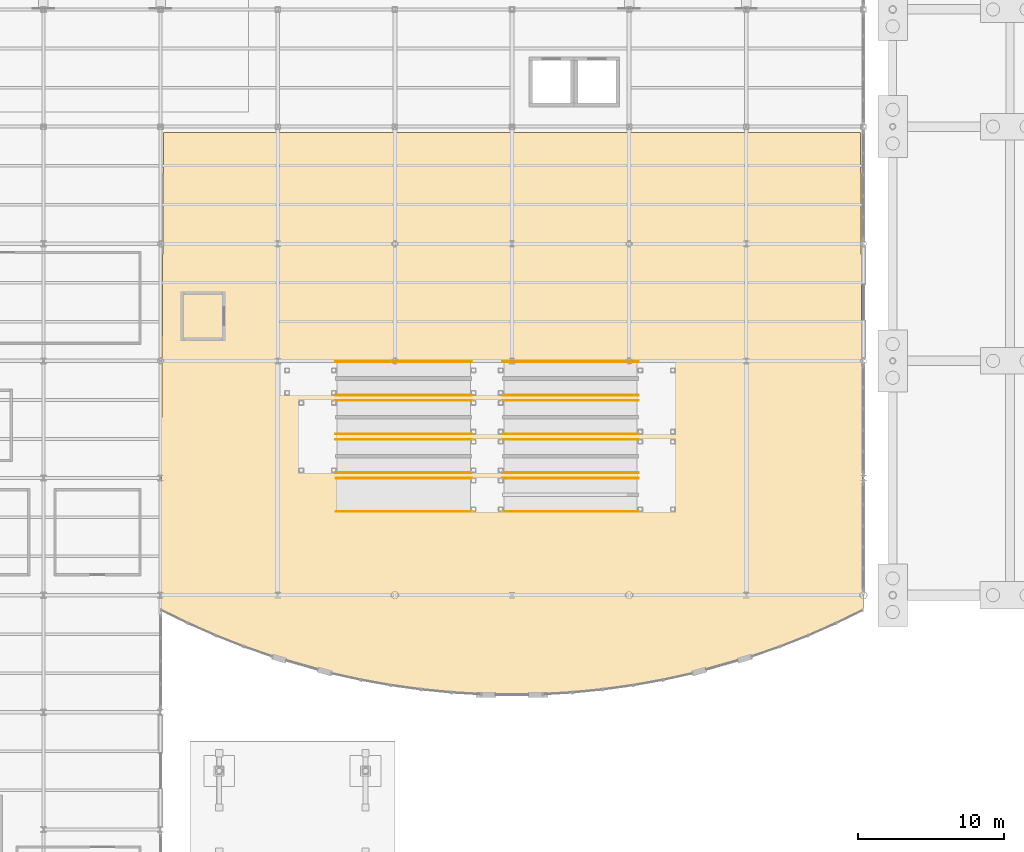
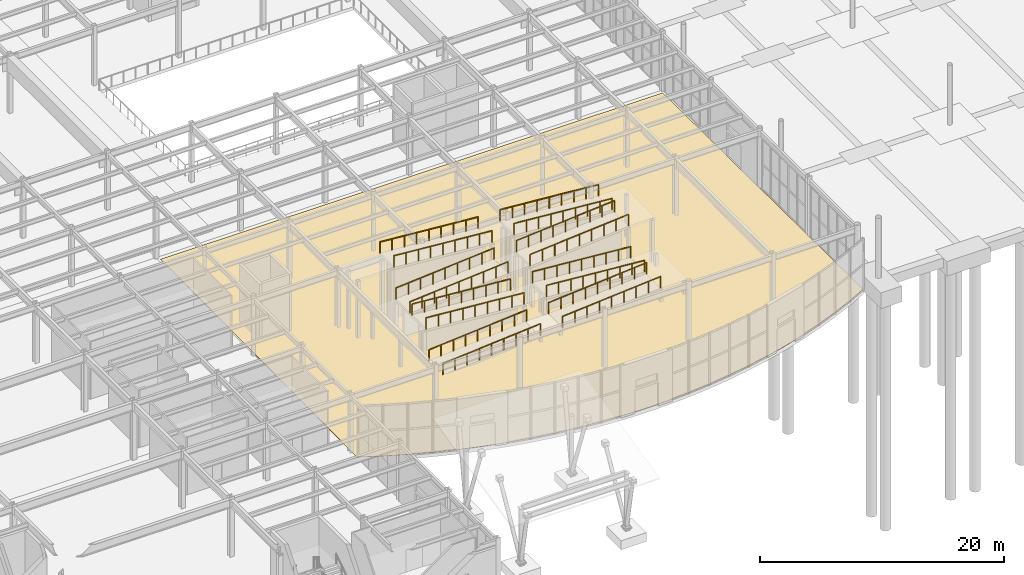
# One storey, part 74 of 82: 16 railings, 1 covering.
"""IFC4 building model written with IfcOpenShell, lengths in metres."""

from ifc_helpers import new_model, si_unit, direction, frame, origin, origin_2d, place, context, subcontext, project, spatial, polyline, circle, outline, extrude, material, layer, layer_set, type_object, element, save


model = new_model("IFC4")

# Units and contexts
model_context = context("Model", 3, precision=1e-05, world=origin(), true_north=direction((0.0, 1.0)))
body_context = subcontext(model_context, "Body", "Model", "MODEL_VIEW")
ifc_project = project(units=[si_unit("LENGTHUNIT", "METRE"), si_unit("AREAUNIT", "SQUARE_METRE"), si_unit("VOLUMEUNIT", "CUBIC_METRE"), si_unit("PLANEANGLEUNIT", "RADIAN"), si_unit("MASSUNIT", "GRAM", prefix="KILO")], contexts=[model_context])

# Site, building, storey
site_placement = place(None, origin())
site = spatial("IfcSite", under=ifc_project, at=site_placement, CompositionType="ELEMENT")
building_placement = place(site_placement, origin())
building = spatial("IfcBuilding", under=site, at=building_placement, Name="Drelvath Fold Interchange", CompositionType="ELEMENT")
storey_placement = place(building_placement, origin())
storey = spatial("IfcBuildingStorey", under=building, at=storey_placement, Name="L00", CompositionType="ELEMENT", Elevation=0.0)

# Covering
ifc_material_1 = material(Name="Crimson Terracotta Oxide Resin Flooring", Category="masonry")
ifc_layer = layer(ifc_material_1, 0.01806640625, Name="Crimson Terracotta Oxide Resin Flooring")
ifc_layer_set = layer_set([ifc_layer], Name="Crimson Terracotta Oxide Resin Flooring")
covering_type = type_object("IfcCoveringType", Name="CV-CRIMSON", PredefinedType="FLOORING", material=ifc_layer_set)
covering_placement = place(storey_placement, origin())
element("IfcCovering", 1, at=covering_placement, inside=storey, type_object=covering_type, Name="Waiting Hall crimson terracotta resin floor L00", PredefinedType="FLOORING", context=body_context, shape_type="SweptSolid", body=[
    extrude(outline(polyline([(52.0, 26.0), (53.865966796875, 25.0869140625), (55.76611328125, 24.2490234375), (57.697998046875, 23.486083984375), (59.658935546875, 22.801025390625), (61.64501953125, 22.194091796875), (63.654052734375, 21.6650390625), (65.681884765625, 21.217041015625), (67.72607421875, 20.84912109375), (69.782958984375, 20.56201171875), (71.85009765625, 20.35693359375), (73.923095703125, 20.23388671875), (76.0, 20.193115234375), (78.076904296875, 20.23388671875), (80.14990234375, 20.35693359375), (82.217041015625, 20.56201171875), (84.27392578125, 20.84912109375), (86.318115234375, 21.217041015625), (88.345947265625, 21.6650390625), (90.35498046875, 22.194091796875), (92.341064453125, 22.801025390625), (94.302001953125, 23.486083984375), (96.23388671875, 24.2490234375), (98.134033203125, 25.0869140625), (100.0, 26.0), (99.800048828125, 58.60009765625), (52.199951171875, 58.60009765625), (52.0, 26.0)])), origin(), (0.0, 0.0, 1.0), 0.01806640625),
])

# Railings
ifc_material_2 = material(Name="Stainless Steel 316L", Category="steel")
railing_type = type_object("IfcRailingType", Name="RL-GRD1150", PredefinedType="GUARDRAIL", material=ifc_material_2)
for number, where, name in (
    (2, (64.0, 32.7099609375, 0.0), "Promenade ramp flight 1 guard"),
    (3, (64.0, 34.989990234375, 0.0), "Promenade ramp flight 1 guard"),
):
    element("IfcRailing", number, at=place(storey_placement, frame(where)), inside=storey, type_object=railing_type, Name=name, PredefinedType="GUARDRAIL", context=body_context, shape_type="SweptSolid", body=[
        extrude(circle(Radius=0.02392578125, at=origin_2d()), frame((0.0, 0.0, 1.1259765625), z_axis=(0.996729048115, 0.0, 0.080815868766), x_axis=(0.0, 1.0, 0.0)), (0.0, 0.0, 1.0), 9.2802734375),
        extrude(circle(Radius=0.02099609375, at=origin_2d()), origin(), (0.0, 0.0, 1.0), 1.101806640625),
        extrude(circle(Radius=0.02099609375, at=origin_2d()), frame((1.15625, 0.0, 0.09375)), (0.0, 0.0, 1.0), 1.101806640625),
        extrude(circle(Radius=0.02099609375, at=origin_2d()), frame((2.3125, 0.0, 0.1875)), (0.0, 0.0, 1.0), 1.101806640625),
        extrude(circle(Radius=0.02099609375, at=origin_2d()), frame((3.46875, 0.0, 0.28125)), (0.0, 0.0, 1.0), 1.101806640625),
        extrude(circle(Radius=0.02099609375, at=origin_2d()), frame((4.625, 0.0, 0.375)), (0.0, 0.0, 1.0), 1.101806640625),
        extrude(circle(Radius=0.02099609375, at=origin_2d()), frame((5.78125, 0.0, 0.46875)), (0.0, 0.0, 1.0), 1.101806640625),
        extrude(circle(Radius=0.02099609375, at=origin_2d()), frame((6.9375, 0.0, 0.5625)), (0.0, 0.0, 1.0), 1.101806640625),
        extrude(circle(Radius=0.02099609375, at=origin_2d()), frame((8.09375, 0.0, 0.65625)), (0.0, 0.0, 1.0), 1.101806640625),
        extrude(circle(Radius=0.02099609375, at=origin_2d()), frame((9.25, 0.0, 0.75)), (0.0, 0.0, 1.0), 1.101806640625),
    ])
for number, where, name in (
    (4, (75.35009765625, 32.7099609375, 0.75), "Promenade ramp flight 2 guard"),
    (5, (75.35009765625, 34.989990234375, 0.75), "Promenade ramp flight 2 guard"),
):
    element("IfcRailing", number, at=place(storey_placement, frame(where)), inside=storey, type_object=railing_type, Name=name, PredefinedType="GUARDRAIL", context=body_context, shape_type="SweptSolid", body=[
        extrude(circle(Radius=0.02392578125, at=origin_2d()), frame((0.0, 0.0, 1.1259765625), z_axis=(0.996763819744, 0.0, 0.080385867223), x_axis=(0.0, 1.0, 0.0)), (0.0, 0.0, 1.0), 9.330078125),
        extrude(circle(Radius=0.02099609375, at=origin_2d()), origin(), (0.0, 0.0, 1.0), 1.101806640625),
        extrude(circle(Radius=0.02099609375, at=origin_2d()), frame((1.16259765625, 0.0, 0.09375)), (0.0, 0.0, 1.0), 1.101806640625),
        extrude(circle(Radius=0.02099609375, at=origin_2d()), frame((2.324951171875, 0.0, 0.1875)), (0.0, 0.0, 1.0), 1.101806640625),
        extrude(circle(Radius=0.02099609375, at=origin_2d()), frame((3.4873046875, 0.0, 0.28125)), (0.0, 0.0, 1.0), 1.101806640625),
        extrude(circle(Radius=0.02099609375, at=origin_2d()), frame((4.64990234375, 0.0, 0.375)), (0.0, 0.0, 1.0), 1.101806640625),
        extrude(circle(Radius=0.02099609375, at=origin_2d()), frame((5.8125, 0.0, 0.46875)), (0.0, 0.0, 1.0), 1.101806640625),
        extrude(circle(Radius=0.02099609375, at=origin_2d()), frame((6.974853515625, 0.0, 0.5625)), (0.0, 0.0, 1.0), 1.101806640625),
        extrude(circle(Radius=0.02099609375, at=origin_2d()), frame((8.13720703125, 0.0, 0.65625)), (0.0, 0.0, 1.0), 1.101806640625),
        extrude(circle(Radius=0.02099609375, at=origin_2d()), frame((9.2998046875, 0.0, 0.75)), (0.0, 0.0, 1.0), 1.101806640625),
    ])
for number, where, name in (
    (6, (84.64990234375, 35.360107421875, 1.5), "Promenade ramp flight 3 guard"),
    (7, (84.64990234375, 37.639892578125, 1.5), "Promenade ramp flight 3 guard"),
):
    element("IfcRailing", number, at=place(storey_placement, frame(where)), inside=storey, type_object=railing_type, Name=name, PredefinedType="GUARDRAIL", context=body_context, shape_type="SweptSolid", body=[
        extrude(circle(Radius=0.02392578125, at=origin_2d()), frame((0.0, 0.0, 1.1259765625), z_axis=(-0.996763819744, 0.0, 0.080385867223), x_axis=(0.0, -1.0, 0.0)), (0.0, 0.0, 1.0), 9.330078125),
        extrude(circle(Radius=0.02099609375, at=origin_2d()), origin(), (0.0, 0.0, 1.0), 1.101806640625),
        extrude(circle(Radius=0.02099609375, at=origin_2d()), frame((-1.16259765625, 0.0, 0.09375)), (0.0, 0.0, 1.0), 1.101806640625),
        extrude(circle(Radius=0.02099609375, at=origin_2d()), frame((-2.324951171875, 0.0, 0.1875)), (0.0, 0.0, 1.0), 1.101806640625),
        extrude(circle(Radius=0.02099609375, at=origin_2d()), frame((-3.4873046875, 0.0, 0.28125)), (0.0, 0.0, 1.0), 1.101806640625),
        extrude(circle(Radius=0.02099609375, at=origin_2d()), frame((-4.64990234375, 0.0, 0.375)), (0.0, 0.0, 1.0), 1.101806640625),
        extrude(circle(Radius=0.02099609375, at=origin_2d()), frame((-5.8125, 0.0, 0.46875)), (0.0, 0.0, 1.0), 1.101806640625),
        extrude(circle(Radius=0.02099609375, at=origin_2d()), frame((-6.974853515625, 0.0, 0.5625)), (0.0, 0.0, 1.0), 1.101806640625),
        extrude(circle(Radius=0.02099609375, at=origin_2d()), frame((-8.13720703125, 0.0, 0.65625)), (0.0, 0.0, 1.0), 1.101806640625),
        extrude(circle(Radius=0.02099609375, at=origin_2d()), frame((-9.2998046875, 0.0, 0.75)), (0.0, 0.0, 1.0), 1.101806640625),
    ])
for number, where, name in (
    (8, (73.25, 35.360107421875, 2.25), "Promenade ramp flight 4 guard"),
    (9, (73.25, 37.639892578125, 2.25), "Promenade ramp flight 4 guard"),
):
    element("IfcRailing", number, at=place(storey_placement, frame(where)), inside=storey, type_object=railing_type, Name=name, PredefinedType="GUARDRAIL", context=body_context, shape_type="SweptSolid", body=[
        extrude(circle(Radius=0.02392578125, at=origin_2d()), frame((0.0, 0.0, 1.1259765625), z_axis=(-0.996763988827, 0.0, 0.080383770606), x_axis=(0.0, -1.0, 0.0)), (0.0, 0.0, 1.0), 9.330322265625),
        extrude(circle(Radius=0.02099609375, at=origin_2d()), origin(), (0.0, 0.0, 1.0), 1.101806640625),
        extrude(circle(Radius=0.02099609375, at=origin_2d()), frame((-1.16259765625, 0.0, 0.09375)), (0.0, 0.0, 1.0), 1.101806640625),
        extrude(circle(Radius=0.02099609375, at=origin_2d()), frame((-2.324951171875, 0.0, 0.1875)), (0.0, 0.0, 1.0), 1.101806640625),
        extrude(circle(Radius=0.02099609375, at=origin_2d()), frame((-3.487548828125, 0.0, 0.28125)), (0.0, 0.0, 1.0), 1.101806640625),
        extrude(circle(Radius=0.02099609375, at=origin_2d()), frame((-4.64990234375, 0.0, 0.375)), (0.0, 0.0, 1.0), 1.101806640625),
        extrude(circle(Radius=0.02099609375, at=origin_2d()), frame((-5.8125, 0.0, 0.46875)), (0.0, 0.0, 1.0), 1.101806640625),
        extrude(circle(Radius=0.02099609375, at=origin_2d()), frame((-6.97509765625, 0.0, 0.5625)), (0.0, 0.0, 1.0), 1.101806640625),
        extrude(circle(Radius=0.02099609375, at=origin_2d()), frame((-8.137451171875, 0.0, 0.65625)), (0.0, 0.0, 1.0), 1.101806640625),
        extrude(circle(Radius=0.02099609375, at=origin_2d()), frame((-9.300048828125, 0.0, 0.75)), (0.0, 0.0, 1.0), 1.101806640625),
    ])
for number, where, name in (
    (10, (63.949951171875, 38.010009765625, 3.0), "Promenade ramp flight 5 guard"),
    (11, (63.949951171875, 40.2900390625, 3.0), "Promenade ramp flight 5 guard"),
):
    element("IfcRailing", number, at=place(storey_placement, frame(where)), inside=storey, type_object=railing_type, Name=name, PredefinedType="GUARDRAIL", context=body_context, shape_type="SweptSolid", body=[
        extrude(circle(Radius=0.02392578125, at=origin_2d()), frame((0.0, 0.0, 1.1259765625), z_axis=(0.996763988827, 0.0, 0.080383770606), x_axis=(0.0, 1.0, 0.0)), (0.0, 0.0, 1.0), 9.330322265625),
        extrude(circle(Radius=0.02099609375, at=origin_2d()), origin(), (0.0, 0.0, 1.0), 1.101806640625),
        extrude(circle(Radius=0.02099609375, at=origin_2d()), frame((1.16259765625, 0.0, 0.09375)), (0.0, 0.0, 1.0), 1.101806640625),
        extrude(circle(Radius=0.02099609375, at=origin_2d()), frame((2.324951171875, 0.0, 0.1875)), (0.0, 0.0, 1.0), 1.101806640625),
        extrude(circle(Radius=0.02099609375, at=origin_2d()), frame((3.487548828125, 0.0, 0.28125)), (0.0, 0.0, 1.0), 1.101806640625),
        extrude(circle(Radius=0.02099609375, at=origin_2d()), frame((4.64990234375, 0.0, 0.375)), (0.0, 0.0, 1.0), 1.101806640625),
        extrude(circle(Radius=0.02099609375, at=origin_2d()), frame((5.8125, 0.0, 0.46875)), (0.0, 0.0, 1.0), 1.101806640625),
        extrude(circle(Radius=0.02099609375, at=origin_2d()), frame((6.97509765625, 0.0, 0.5625)), (0.0, 0.0, 1.0), 1.101806640625),
        extrude(circle(Radius=0.02099609375, at=origin_2d()), frame((8.137451171875, 0.0, 0.65625)), (0.0, 0.0, 1.0), 1.101806640625),
        extrude(circle(Radius=0.02099609375, at=origin_2d()), frame((9.300048828125, 0.0, 0.75)), (0.0, 0.0, 1.0), 1.101806640625),
    ])
for number, where, name in (
    (12, (75.35009765625, 38.010009765625, 3.75), "Promenade ramp flight 6 guard"),
    (13, (75.35009765625, 40.2900390625, 3.75), "Promenade ramp flight 6 guard"),
):
    element("IfcRailing", number, at=place(storey_placement, frame(where)), inside=storey, type_object=railing_type, Name=name, PredefinedType="GUARDRAIL", context=body_context, shape_type="SweptSolid", body=[
        extrude(circle(Radius=0.02392578125, at=origin_2d()), frame((0.0, 0.0, 1.1259765625), z_axis=(0.996763819744, 0.0, 0.080385867223), x_axis=(0.0, 1.0, 0.0)), (0.0, 0.0, 1.0), 9.330078125),
        extrude(circle(Radius=0.02099609375, at=origin_2d()), origin(), (0.0, 0.0, 1.0), 1.101806640625),
        extrude(circle(Radius=0.02099609375, at=origin_2d()), frame((1.16259765625, 0.0, 0.09375)), (0.0, 0.0, 1.0), 1.101806640625),
        extrude(circle(Radius=0.02099609375, at=origin_2d()), frame((2.324951171875, 0.0, 0.1875)), (0.0, 0.0, 1.0), 1.101806640625),
        extrude(circle(Radius=0.02099609375, at=origin_2d()), frame((3.4873046875, 0.0, 0.28125)), (0.0, 0.0, 1.0), 1.101806640625),
        extrude(circle(Radius=0.02099609375, at=origin_2d()), frame((4.64990234375, 0.0, 0.375)), (0.0, 0.0, 1.0), 1.101806640625),
        extrude(circle(Radius=0.02099609375, at=origin_2d()), frame((5.8125, 0.0, 0.46875)), (0.0, 0.0, 1.0), 1.101806640625),
        extrude(circle(Radius=0.02099609375, at=origin_2d()), frame((6.974853515625, 0.0, 0.5625)), (0.0, 0.0, 1.0), 1.101806640625),
        extrude(circle(Radius=0.02099609375, at=origin_2d()), frame((8.13720703125, 0.0, 0.65625)), (0.0, 0.0, 1.0), 1.101806640625),
        extrude(circle(Radius=0.02099609375, at=origin_2d()), frame((9.2998046875, 0.0, 0.75)), (0.0, 0.0, 1.0), 1.101806640625),
    ])
for number, where, name in (
    (14, (84.64990234375, 40.659912109375, 4.5), "Promenade ramp flight 7 guard"),
    (15, (84.64990234375, 42.93994140625, 4.5), "Promenade ramp flight 7 guard"),
):
    element("IfcRailing", number, at=place(storey_placement, frame(where)), inside=storey, type_object=railing_type, Name=name, PredefinedType="GUARDRAIL", context=body_context, shape_type="SweptSolid", body=[
        extrude(circle(Radius=0.02392578125, at=origin_2d()), frame((0.0, 0.0, 1.1259765625), z_axis=(-0.996763819744, 0.0, 0.080385867223), x_axis=(0.0, -1.0, 0.0)), (0.0, 0.0, 1.0), 9.330078125),
        extrude(circle(Radius=0.02099609375, at=origin_2d()), origin(), (0.0, 0.0, 1.0), 1.101806640625),
        extrude(circle(Radius=0.02099609375, at=origin_2d()), frame((-1.16259765625, 0.0, 0.09375)), (0.0, 0.0, 1.0), 1.101806640625),
        extrude(circle(Radius=0.02099609375, at=origin_2d()), frame((-2.324951171875, 0.0, 0.1875)), (0.0, 0.0, 1.0), 1.101806640625),
        extrude(circle(Radius=0.02099609375, at=origin_2d()), frame((-3.4873046875, 0.0, 0.28125)), (0.0, 0.0, 1.0), 1.101806640625),
        extrude(circle(Radius=0.02099609375, at=origin_2d()), frame((-4.64990234375, 0.0, 0.375)), (0.0, 0.0, 1.0), 1.101806640625),
        extrude(circle(Radius=0.02099609375, at=origin_2d()), frame((-5.8125, 0.0, 0.46875)), (0.0, 0.0, 1.0), 1.101806640625),
        extrude(circle(Radius=0.02099609375, at=origin_2d()), frame((-6.974853515625, 0.0, 0.5625)), (0.0, 0.0, 1.0), 1.101806640625),
        extrude(circle(Radius=0.02099609375, at=origin_2d()), frame((-8.13720703125, 0.0, 0.65625)), (0.0, 0.0, 1.0), 1.101806640625),
        extrude(circle(Radius=0.02099609375, at=origin_2d()), frame((-9.2998046875, 0.0, 0.75)), (0.0, 0.0, 1.0), 1.101806640625),
    ])
for number, where, name in (
    (16, (73.25, 40.659912109375, 5.25), "Promenade ramp flight 8 guard"),
    (17, (73.25, 42.93994140625, 5.25), "Promenade ramp flight 8 guard"),
):
    element("IfcRailing", number, at=place(storey_placement, frame(where)), inside=storey, type_object=railing_type, Name=name, PredefinedType="GUARDRAIL", context=body_context, shape_type="SweptSolid", body=[
        extrude(circle(Radius=0.02392578125, at=origin_2d()), frame((0.0, 0.0, 1.1259765625), z_axis=(-0.996763988827, 0.0, 0.080383770606), x_axis=(0.0, -1.0, 0.0)), (0.0, 0.0, 1.0), 9.330322265625),
        extrude(circle(Radius=0.02099609375, at=origin_2d()), origin(), (0.0, 0.0, 1.0), 1.101806640625),
        extrude(circle(Radius=0.02099609375, at=origin_2d()), frame((-1.16259765625, 0.0, 0.09375)), (0.0, 0.0, 1.0), 1.101806640625),
        extrude(circle(Radius=0.02099609375, at=origin_2d()), frame((-2.324951171875, 0.0, 0.1875)), (0.0, 0.0, 1.0), 1.101806640625),
        extrude(circle(Radius=0.02099609375, at=origin_2d()), frame((-3.487548828125, 0.0, 0.28125)), (0.0, 0.0, 1.0), 1.101806640625),
        extrude(circle(Radius=0.02099609375, at=origin_2d()), frame((-4.64990234375, 0.0, 0.375)), (0.0, 0.0, 1.0), 1.101806640625),
        extrude(circle(Radius=0.02099609375, at=origin_2d()), frame((-5.8125, 0.0, 0.46875)), (0.0, 0.0, 1.0), 1.101806640625),
        extrude(circle(Radius=0.02099609375, at=origin_2d()), frame((-6.97509765625, 0.0, 0.5625)), (0.0, 0.0, 1.0), 1.101806640625),
        extrude(circle(Radius=0.02099609375, at=origin_2d()), frame((-8.137451171875, 0.0, 0.65625)), (0.0, 0.0, 1.0), 1.101806640625),
        extrude(circle(Radius=0.02099609375, at=origin_2d()), frame((-9.300048828125, 0.0, 0.75)), (0.0, 0.0, 1.0), 1.101806640625),
    ])

save(model, "model.ifc")
